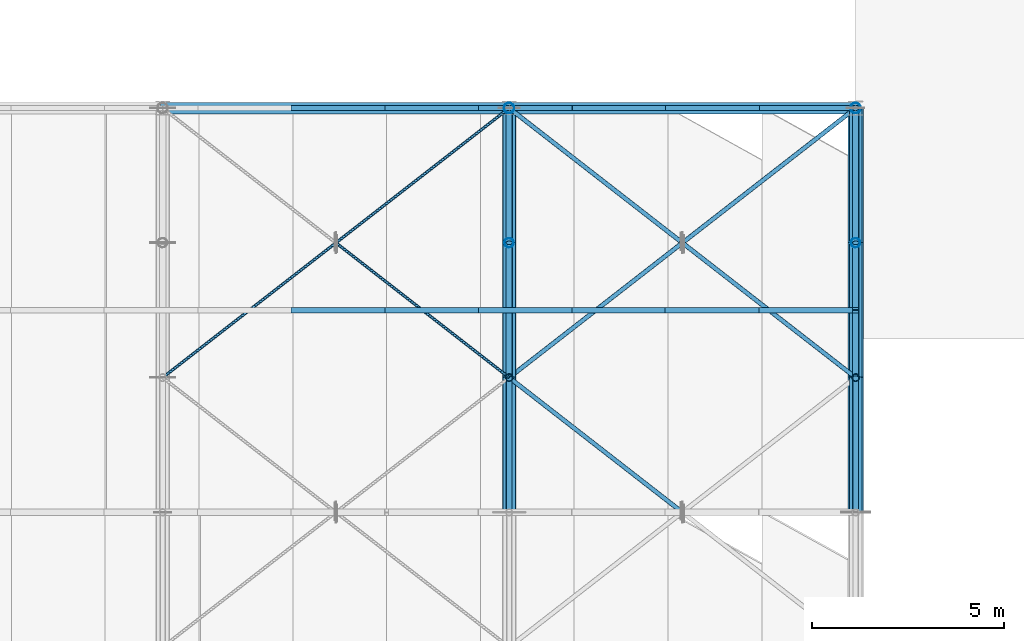
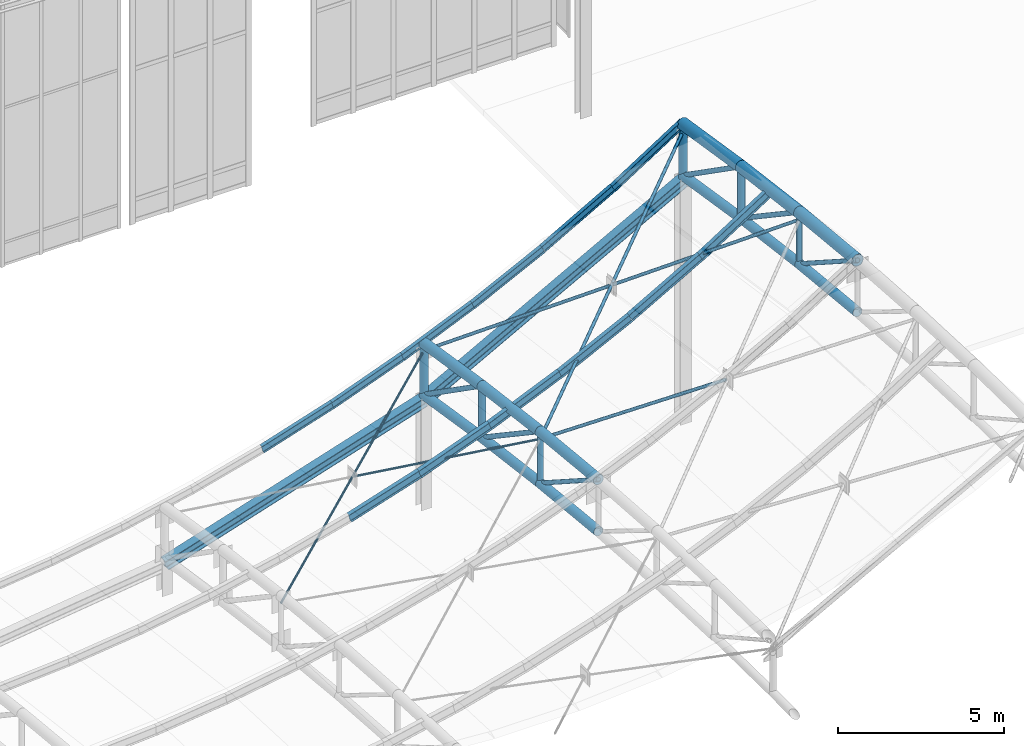
# One storey, part 55 of 262: 42 members, 2 beams.
"""IFC4 building model written with IfcOpenShell, lengths in metres."""

from ifc_helpers import new_model, si_unit, derived_unit, direction, frame, origin, origin_2d, place, context, subcontext, project, spatial, hollow_circle, i_section, extrude, material, material_profile, profile_set, type_object, element, save


model = new_model("IFC4")

# Units and contexts
model_context = context("Model", 3, precision=1e-05, world=origin(), true_north=direction((0.0, 1.0)))
body_context = subcontext(model_context, "Body", "Model", "MODEL_VIEW")
ifc_project = project(units=[si_unit("LENGTHUNIT", "METRE"), si_unit("AREAUNIT", "SQUARE_METRE"), si_unit("VOLUMEUNIT", "CUBIC_METRE"), si_unit("PLANEANGLEUNIT", "RADIAN"), si_unit("MASSUNIT", "GRAM", prefix="KILO"), derived_unit("THERMALTRANSMITTANCEUNIT", [(si_unit("POWERUNIT", "WATT"), 1), (si_unit("LENGTHUNIT", "METRE"), -2), (si_unit("THERMODYNAMICTEMPERATUREUNIT", "KELVIN"), -1)])], contexts=[model_context])

# Site, building, storey
site_placement = place(None, origin())
site = spatial("IfcSite", under=ifc_project, at=site_placement, CompositionType="ELEMENT")
building_placement = place(site_placement, origin())
building = spatial("IfcBuilding", under=site, at=building_placement, Name="Almenara Railside Exhibition Hall", CompositionType="ELEMENT")
storey_placement = place(building_placement, frame((0.0, 0.0, 21.699951171875)))
storey = spatial("IfcBuildingStorey", under=building, at=storey_placement, Name="RF", CompositionType="ELEMENT", Elevation=21.699951171875)

# Members
ifc_material = material(Name="Structural steel S355JR", Category="steel")
ifc_material_profile_1 = material_profile(ifc_material, i_section(OverallWidth=0.14990234375, OverallDepth=0.300048828125, WebThickness=0.007080078125, FlangeThickness=0.0107421875, FilletRadius=0.014892578125, at=origin_2d()), Name="IPE 300")
ifc_profile_set_1 = profile_set([ifc_material_profile_1], Name="Structural steel S355JR")
member_type_1 = type_object("IfcMemberType", Name="East Hall Ridge Purlin IPE 300 S355JR", PredefinedType="PURLIN", material=ifc_profile_set_1)
member_1_placement = place(storey_placement, frame((51.3798828125, 36.75, -5.260986328125), z_axis=(0.952440767254, 0.0, 0.304723784553), x_axis=(0.0, 1.0, 0.0)))
element("IfcMember", 1, at=member_1_placement, inside=storey, type_object=member_type_1, Name="MEM-PR-V4-PR-IPE300-07-22", PredefinedType="PURLIN", context=body_context, shape_type="SweptSolid", body=[
    extrude(i_section(OverallWidth=0.14990234375, OverallDepth=0.300048828125, WebThickness=0.007080078125, FlangeThickness=0.0107421875, FilletRadius=0.014892578125, at=origin_2d()), origin(), (0.0, 0.0, 1.0), 2.55810546875),
])
member_2_placement = place(storey_placement, frame((53.81640625, 36.75, -4.48779296875), z_axis=(0.936171044044, 0.0, 0.351544842508), x_axis=(0.0, 1.0, 0.0)))
element("IfcMember", 2, at=member_2_placement, inside=storey, type_object=member_type_1, Name="MEM-PR-V4-PR-IPE300-07-23", PredefinedType="PURLIN", context=body_context, shape_type="SweptSolid", body=[
    extrude(i_section(OverallWidth=0.14990234375, OverallDepth=0.300048828125, WebThickness=0.007080078125, FlangeThickness=0.0107421875, FilletRadius=0.014892578125, at=origin_2d()), origin(), (0.0, 0.0, 1.0), 2.60302734375),
])
member_3_placement = place(storey_placement, frame((56.253173828125, 36.75, -3.58056640625), z_axis=(0.917189812532, 0.0, 0.398450558775), x_axis=(0.0, 1.0, 0.0)))
element("IfcMember", 3, at=member_3_placement, inside=storey, type_object=member_type_1, Name="MEM-PR-V4-PR-IPE300-07-24", PredefinedType="PURLIN", context=body_context, shape_type="SweptSolid", body=[
    extrude(i_section(OverallWidth=0.14990234375, OverallDepth=0.300048828125, WebThickness=0.007080078125, FlangeThickness=0.0107421875, FilletRadius=0.014892578125, at=origin_2d()), origin(), (0.0, 0.0, 1.0), 2.65673828125),
])
member_4_placement = place(storey_placement, frame((58.68994140625, 36.75, -2.53125), z_axis=(0.895376074457, 0.0, 0.445310773831), x_axis=(0.0, 1.0, 0.0)))
element("IfcMember", 4, at=member_4_placement, inside=storey, type_object=member_type_1, Name="MEM-PR-V4-PR-IPE300-07-25", PredefinedType="PURLIN", context=body_context, shape_type="SweptSolid", body=[
    extrude(i_section(OverallWidth=0.14990234375, OverallDepth=0.300048828125, WebThickness=0.007080078125, FlangeThickness=0.0107421875, FilletRadius=0.014892578125, at=origin_2d()), origin(), (0.0, 0.0, 1.0), 2.721435546875),
])
member_5_placement = place(storey_placement, frame((61.126708984375, 36.75, -1.31298828125), z_axis=(0.870445855666, 0.0, 0.492264169277), x_axis=(0.0, 1.0, 0.0)))
element("IfcMember", 5, at=member_5_placement, inside=storey, type_object=member_type_1, Name="MEM-PR-V4-PR-IPE300-07-26", PredefinedType="PURLIN", context=body_context, shape_type="SweptSolid", body=[
    extrude(i_section(OverallWidth=0.14990234375, OverallDepth=0.300048828125, WebThickness=0.007080078125, FlangeThickness=0.0107421875, FilletRadius=0.014892578125, at=origin_2d()), origin(), (0.0, 0.0, 1.0), 2.799072265625),
])
member_6_placement = place(storey_placement, frame((63.563232421875, 36.75, 0.052001953125), z_axis=(0.842226955435, 0.0, 0.539123135785), x_axis=(0.0, 1.0, 0.0)))
element("IfcMember", 6, at=member_6_placement, inside=storey, type_object=member_type_1, Name="MEM-PR-V4-PR-IPE300-07-27", PredefinedType="PURLIN", context=body_context, shape_type="SweptSolid", body=[
    extrude(i_section(OverallWidth=0.14990234375, OverallDepth=0.300048828125, WebThickness=0.007080078125, FlangeThickness=0.0107421875, FilletRadius=0.014892578125, at=origin_2d()), origin(), (0.0, 0.0, 1.0), 2.893310546875),
])
ifc_material_profile_2 = material_profile(ifc_material, i_section(OverallWidth=0.135009765625, OverallDepth=0.27001953125, WebThickness=0.006591796875, FlangeThickness=0.01025390625, FilletRadius=0.014892578125, at=origin_2d()), Name="IPE 270")
ifc_profile_set_2 = profile_set([ifc_material_profile_2], Name="Structural steel S355JR")
member_type_2 = type_object("IfcMemberType", Name="East Hall Standard Purlin IPE 270 S355JR", PredefinedType="PURLIN", material=ifc_profile_set_2)
member_7_placement = place(storey_placement, frame((51.3798828125, 42.0, -5.9228515625), z_axis=(0.952468462339, 0.0, 0.304637207594), x_axis=(0.0, 1.0, 0.0)))
element("IfcMember", 7, at=member_7_placement, inside=storey, type_object=member_type_2, Name="MEM-PR-V4-PR-IPE270-08-22", PredefinedType="PURLIN", context=body_context, shape_type="SweptSolid", body=[
    extrude(i_section(OverallWidth=0.135009765625, OverallDepth=0.27001953125, WebThickness=0.006591796875, FlangeThickness=0.01025390625, FilletRadius=0.014892578125, at=origin_2d()), origin(), (0.0, 0.0, 1.0), 2.55810546875),
])
member_8_placement = place(storey_placement, frame((53.81640625, 42.0, -5.1494140625), z_axis=(0.936171044044, 0.0, 0.351544842508), x_axis=(0.0, 1.0, 0.0)))
element("IfcMember", 8, at=member_8_placement, inside=storey, type_object=member_type_2, Name="MEM-PR-V4-PR-IPE270-08-23", PredefinedType="PURLIN", context=body_context, shape_type="SweptSolid", body=[
    extrude(i_section(OverallWidth=0.135009765625, OverallDepth=0.27001953125, WebThickness=0.006591796875, FlangeThickness=0.01025390625, FilletRadius=0.014892578125, at=origin_2d()), origin(), (0.0, 0.0, 1.0), 2.60302734375),
])
member_9_placement = place(storey_placement, frame((56.253173828125, 42.0, -4.241943359375), z_axis=(0.917189812532, 0.0, 0.398450558775), x_axis=(0.0, 1.0, 0.0)))
element("IfcMember", 9, at=member_9_placement, inside=storey, type_object=member_type_2, Name="MEM-PR-V4-PR-IPE270-08-24", PredefinedType="PURLIN", context=body_context, shape_type="SweptSolid", body=[
    extrude(i_section(OverallWidth=0.135009765625, OverallDepth=0.27001953125, WebThickness=0.006591796875, FlangeThickness=0.01025390625, FilletRadius=0.014892578125, at=origin_2d()), origin(), (0.0, 0.0, 1.0), 2.65673828125),
])
member_10_placement = place(storey_placement, frame((58.68994140625, 42.0, -3.192138671875), z_axis=(0.895376074457, 0.0, 0.445310773831), x_axis=(0.0, 1.0, 0.0)))
element("IfcMember", 10, at=member_10_placement, inside=storey, type_object=member_type_2, Name="MEM-PR-V4-PR-IPE270-08-25", PredefinedType="PURLIN", context=body_context, shape_type="SweptSolid", body=[
    extrude(i_section(OverallWidth=0.135009765625, OverallDepth=0.27001953125, WebThickness=0.006591796875, FlangeThickness=0.01025390625, FilletRadius=0.014892578125, at=origin_2d()), origin(), (0.0, 0.0, 1.0), 2.721435546875),
])
member_11_placement = place(storey_placement, frame((61.126708984375, 42.0, -1.973388671875), z_axis=(0.870445855666, 0.0, 0.492264169277), x_axis=(0.0, 1.0, 0.0)))
element("IfcMember", 11, at=member_11_placement, inside=storey, type_object=member_type_2, Name="MEM-PR-V4-PR-IPE270-08-26", PredefinedType="PURLIN", context=body_context, shape_type="SweptSolid", body=[
    extrude(i_section(OverallWidth=0.135009765625, OverallDepth=0.27001953125, WebThickness=0.006591796875, FlangeThickness=0.01025390625, FilletRadius=0.014892578125, at=origin_2d()), origin(), (0.0, 0.0, 1.0), 2.799072265625),
])
member_12_placement = place(storey_placement, frame((63.563232421875, 42.0, -0.60791015625), z_axis=(0.842226955435, 0.0, 0.539123135785), x_axis=(0.0, 1.0, 0.0)))
element("IfcMember", 12, at=member_12_placement, inside=storey, type_object=member_type_2, Name="MEM-PR-V4-PR-IPE270-08-27", PredefinedType="PURLIN", context=body_context, shape_type="SweptSolid", body=[
    extrude(i_section(OverallWidth=0.135009765625, OverallDepth=0.27001953125, WebThickness=0.006591796875, FlangeThickness=0.01025390625, FilletRadius=0.014892578125, at=origin_2d()), origin(), (0.0, 0.0, 1.0), 2.893310546875),
])
ifc_material_profile_3 = material_profile(ifc_material, hollow_circle(Radius=0.0380859375, WallThickness=0.003662109375, at=origin_2d()), Name="CHS 76.1x3.6")
ifc_profile_set_3 = profile_set([ifc_material_profile_3], Name="Structural steel S355JR")
member_type_3 = type_object("IfcMemberType", Name="Lantern Cross-Tie Brace CHS 76.1x3.6 S355JR", PredefinedType="BRACE", material=ifc_profile_set_3)
member_13_placement = place(storey_placement, frame((48.0, 35.0, -6.150634765625), z_axis=(0.778927955541, 0.60583285431, 0.161980840581), x_axis=(-0.613940613515, 0.789352217376, 0.0)))
element("IfcMember", 13, at=member_13_placement, inside=storey, type_object=member_type_3, Name="MEM-WB-V4-WB-CHS76-05-10-C", PredefinedType="BRACE", context=body_context, shape_type="SweptSolid", body=[
    extrude(hollow_circle(Radius=0.0380859375, WallThickness=0.003662109375, at=origin_2d()), origin(), (0.0, 0.0, 1.0), 11.554443359375),
])
member_14_placement = place(storey_placement, frame((52.531494140625, 38.4755859375, -5.201171875), z_axis=(0.747436354234, -0.581352998901, 0.321508300108), x_axis=(0.613949570528, 0.789345250729, 0.0)))
element("IfcMember", 14, at=member_14_placement, inside=storey, type_object=member_type_3, Name="MEM-WB-V4-WB-CHS76-05-10-S2", PredefinedType="BRACE", context=body_context, shape_type="SweptSolid", body=[
    extrude(hollow_circle(Radius=0.0380859375, WallThickness=0.003662109375, at=origin_2d()), origin(), (0.0, 0.0, 1.0), 5.978515625),
])
ifc_material_profile_4 = material_profile(ifc_material, hollow_circle(Radius=0.203125, WallThickness=0.012451171875, at=origin_2d()), Name="CHS 406.4x12.5")
ifc_profile_set_4 = profile_set([ifc_material_profile_4], Name="Structural steel S355JR")
member_type_4 = type_object("IfcMemberType", Name="Plenary Gable Top Chord CHS 406.4x12.5 S355JR", PredefinedType="CHORD", material=ifc_profile_set_4)
member_15_placement = place(storey_placement, frame((66.0, 31.5, 2.25), z_axis=(0.0, 0.995041312637, -0.09946248612), x_axis=(-1.0, 0.0, 0.0)))
element("IfcMember", 15, at=member_15_placement, inside=storey, type_object=member_type_4, Name="MEM-TC-V4-07-09", PredefinedType="CHORD", context=body_context, shape_type="SweptSolid", body=[
    extrude(hollow_circle(Radius=0.203125, WallThickness=0.012451171875, at=origin_2d()), origin(), (0.0, 0.0, 1.0), 3.517333984375),
])
member_16_placement = place(storey_placement, frame((66.0, 35.0, 1.900146484375), z_axis=(0.0, 0.991828773415, -0.127576189884), x_axis=(-1.0, 0.0, 0.0)))
element("IfcMember", 16, at=member_16_placement, inside=storey, type_object=member_type_4, Name="MEM-TC-V4-07-10", PredefinedType="CHORD", context=body_context, shape_type="SweptSolid", body=[
    extrude(hollow_circle(Radius=0.203125, WallThickness=0.012451171875, at=origin_2d()), origin(), (0.0, 0.0, 1.0), 3.52880859375),
])
member_17_placement = place(storey_placement, frame((66.0, 38.5, 1.449951171875), z_axis=(0.0, 0.987885578074, -0.155184034725), x_axis=(-1.0, 0.0, 0.0)))
element("IfcMember", 17, at=member_17_placement, inside=storey, type_object=member_type_4, Name="MEM-TC-V4-07-11", PredefinedType="CHORD", context=body_context, shape_type="SweptSolid", body=[
    extrude(hollow_circle(Radius=0.203125, WallThickness=0.012451171875, at=origin_2d()), origin(), (0.0, 0.0, 1.0), 3.54296875),
])
ifc_material_profile_5 = material_profile(ifc_material, hollow_circle(Radius=0.161865234375, WallThickness=0.010009765625, at=origin_2d()), Name="CHS 323.9x10")
ifc_profile_set_5 = profile_set([ifc_material_profile_5], Name="Structural steel S355JR")
member_type_5 = type_object("IfcMemberType", Name="Plenary Truss Bottom Chord CHS 323.9x10 S355JR", PredefinedType="CHORD", material=ifc_profile_set_5)
member_18_placement = place(storey_placement, frame((57.0, 31.5, -4.549072265625), z_axis=(0.0, 0.995034440995, -0.099531207337), x_axis=(-1.0, 0.0, 0.0)))
element("IfcMember", 18, at=member_18_placement, inside=storey, type_object=member_type_5, Name="MEM-BC-V4-06-09", PredefinedType="CHORD", context=body_context, shape_type="SweptSolid", body=[
    extrude(hollow_circle(Radius=0.161865234375, WallThickness=0.010009765625, at=origin_2d()), origin(), (0.0, 0.0, 1.0), 3.517578125),
])
member_19_placement = place(storey_placement, frame((57.0, 35.0, -4.899169921875), z_axis=(0.0, 0.991837525329, -0.127508130523), x_axis=(-1.0, 0.0, 0.0)))
element("IfcMember", 19, at=member_19_placement, inside=storey, type_object=member_type_5, Name="MEM-BC-V4-06-10", PredefinedType="CHORD", context=body_context, shape_type="SweptSolid", body=[
    extrude(hollow_circle(Radius=0.161865234375, WallThickness=0.010009765625, at=origin_2d()), origin(), (0.0, 0.0, 1.0), 3.52880859375),
])
member_20_placement = place(storey_placement, frame((57.0, 38.5, -5.34912109375), z_axis=(0.0, 0.987875011802, -0.155251283593), x_axis=(-1.0, 0.0, 0.0)))
element("IfcMember", 20, at=member_20_placement, inside=storey, type_object=member_type_5, Name="MEM-BC-V4-06-11", PredefinedType="CHORD", context=body_context, shape_type="SweptSolid", body=[
    extrude(hollow_circle(Radius=0.161865234375, WallThickness=0.010009765625, at=origin_2d()), origin(), (0.0, 0.0, 1.0), 3.54296875),
])
member_21_placement = place(storey_placement, frame((66.0, 31.5, 0.35009765625), z_axis=(0.0, 0.995034440995, -0.099531207337), x_axis=(-1.0, 0.0, 0.0)))
element("IfcMember", 21, at=member_21_placement, inside=storey, type_object=member_type_5, Name="MEM-BC-V4-07-09", PredefinedType="CHORD", context=body_context, shape_type="SweptSolid", body=[
    extrude(hollow_circle(Radius=0.161865234375, WallThickness=0.010009765625, at=origin_2d()), origin(), (0.0, 0.0, 1.0), 3.517578125),
])
member_22_placement = place(storey_placement, frame((66.0, 35.0, 0.0), z_axis=(0.0, 0.991837525329, -0.127508130523), x_axis=(-1.0, 0.0, 0.0)))
element("IfcMember", 22, at=member_22_placement, inside=storey, type_object=member_type_5, Name="MEM-BC-V4-07-10", PredefinedType="CHORD", context=body_context, shape_type="SweptSolid", body=[
    extrude(hollow_circle(Radius=0.161865234375, WallThickness=0.010009765625, at=origin_2d()), origin(), (0.0, 0.0, 1.0), 3.52880859375),
])
member_23_placement = place(storey_placement, frame((66.0, 38.5, -0.449951171875), z_axis=(0.0, 0.987875011802, -0.155251283593), x_axis=(-1.0, 0.0, 0.0)))
element("IfcMember", 23, at=member_23_placement, inside=storey, type_object=member_type_5, Name="MEM-BC-V4-07-11", PredefinedType="CHORD", context=body_context, shape_type="SweptSolid", body=[
    extrude(hollow_circle(Radius=0.161865234375, WallThickness=0.010009765625, at=origin_2d()), origin(), (0.0, 0.0, 1.0), 3.54296875),
])
ifc_material_profile_6 = material_profile(ifc_material, hollow_circle(Radius=0.177734375, WallThickness=0.012451171875, at=origin_2d()), Name="CHS 355.6x12.5")
ifc_profile_set_6 = profile_set([ifc_material_profile_6], Name="Structural steel S355JR")
member_type_6 = type_object("IfcMemberType", Name="Plenary Truss Top Chord CHS 355.6x12.5 S355JR", PredefinedType="CHORD", material=ifc_profile_set_6)
member_24_placement = place(storey_placement, frame((57.0, 31.5, -2.649169921875), z_axis=(0.0, 0.995041312637, -0.09946248612), x_axis=(-1.0, 0.0, 0.0)))
element("IfcMember", 24, at=member_24_placement, inside=storey, type_object=member_type_6, Name="MEM-TC-V4-06-09", PredefinedType="CHORD", context=body_context, shape_type="SweptSolid", body=[
    extrude(hollow_circle(Radius=0.177734375, WallThickness=0.012451171875, at=origin_2d()), origin(), (0.0, 0.0, 1.0), 3.517333984375),
])
member_25_placement = place(storey_placement, frame((57.0, 35.0, -2.9990234375), z_axis=(0.0, 0.991837525329, -0.127508130523), x_axis=(-1.0, 0.0, 0.0)))
element("IfcMember", 25, at=member_25_placement, inside=storey, type_object=member_type_6, Name="MEM-TC-V4-06-10", PredefinedType="CHORD", context=body_context, shape_type="SweptSolid", body=[
    extrude(hollow_circle(Radius=0.177734375, WallThickness=0.012451171875, at=origin_2d()), origin(), (0.0, 0.0, 1.0), 3.52880859375),
])
member_26_placement = place(storey_placement, frame((57.0, 38.5, -3.448974609375), z_axis=(0.0, 0.987875011802, -0.155251283593), x_axis=(-1.0, 0.0, 0.0)))
element("IfcMember", 26, at=member_26_placement, inside=storey, type_object=member_type_6, Name="MEM-TC-V4-06-11", PredefinedType="CHORD", context=body_context, shape_type="SweptSolid", body=[
    extrude(hollow_circle(Radius=0.177734375, WallThickness=0.012451171875, at=origin_2d()), origin(), (0.0, 0.0, 1.0), 3.54296875),
])
ifc_material_profile_7 = material_profile(ifc_material, hollow_circle(Radius=0.05712890625, WallThickness=0.00439453125, at=origin_2d()), Name="CHS 114.3x4.5")
ifc_profile_set_7 = profile_set([ifc_material_profile_7], Name="Structural steel S355JR")
member_type_7 = type_object("IfcMemberType", Name="Roof Wind Plan X-Brace CHS 114.3x4.5 S355JR", PredefinedType="BRACE", material=ifc_profile_set_7)
member_27_placement = place(storey_placement, frame((57.0, 35.0, -3.279052734375), z_axis=(0.710977182771, -0.552999563985, 0.434399502544), x_axis=(0.613952588204, 0.789342903583, 0.0)))
element("IfcMember", 27, at=member_27_placement, inside=storey, type_object=member_type_7, Name="MEM-WB-V4-WB-CHS114-06-08-S1", PredefinedType="BRACE", context=body_context, shape_type="SweptSolid", body=[
    extrude(hollow_circle(Radius=0.05712890625, WallThickness=0.00439453125, at=origin_2d()), origin(), (0.0, 0.0, 1.0), 6.268310546875),
])
member_28_placement = place(storey_placement, frame((57.0, 35.0, -3.279052734375), z_axis=(0.746885327861, 0.580910810559, 0.323581422832), x_axis=(-0.613940613515, 0.789352217376, 0.0)))
element("IfcMember", 28, at=member_28_placement, inside=storey, type_object=member_type_7, Name="MEM-WB-V4-WB-CHS114-06-10-C", PredefinedType="BRACE", context=body_context, shape_type="SweptSolid", body=[
    extrude(hollow_circle(Radius=0.05712890625, WallThickness=0.00439453125, at=origin_2d()), origin(), (0.0, 0.0, 1.0), 12.050048828125),
])
member_29_placement = place(storey_placement, frame((57.0, 42.0, -4.279052734375), z_axis=(0.701062297744, -0.545304810909, 0.459515307559), x_axis=(0.613964559846, 0.789333591869, 0.0)))
element("IfcMember", 29, at=member_29_placement, inside=storey, type_object=member_type_7, Name="MEM-WB-V4-WB-CHS114-06-10-S1", PredefinedType="BRACE", context=body_context, shape_type="SweptSolid", body=[
    extrude(hollow_circle(Radius=0.05712890625, WallThickness=0.00439453125, at=origin_2d()), origin(), (0.0, 0.0, 1.0), 6.357421875),
])
member_30_placement = place(storey_placement, frame((61.54296875, 38.466796875, -1.301513671875), z_axis=(0.701049926475, -0.545295188209, 0.45954559981), x_axis=(0.613964559846, 0.789333591869, 0.0)))
element("IfcMember", 30, at=member_30_placement, inside=storey, type_object=member_type_7, Name="MEM-WB-V4-WB-CHS114-06-10-S2", PredefinedType="BRACE", context=body_context, shape_type="SweptSolid", body=[
    extrude(hollow_circle(Radius=0.05712890625, WallThickness=0.00439453125, at=origin_2d()), origin(), (0.0, 0.0, 1.0), 6.357666015625),
])

# Beams
ifc_material_profile_8 = material_profile(ifc_material, i_section(OverallWidth=0.300048828125, OverallDepth=0.360107421875, WebThickness=0.012451171875, FlangeThickness=0.0224609375, FilletRadius=0.027099609375, at=origin_2d()), Name="HEB 360")
ifc_profile_set_8 = profile_set([ifc_material_profile_8], Name="Structural steel S355JR")
beam_type = type_object("IfcBeamType", Name="Steel Portal Girder HEB 360 S355JR", PredefinedType="USERDEFINED", material=ifc_profile_set_8)
beam_1_placement = place(storey_placement, frame((48.0, 42.0, -8.950439453125), z_axis=(0.952689944457, 0.0, 0.303943859504), x_axis=(0.0, 1.0, 0.0)))
element("IfcBeam", 31, at=beam_1_placement, inside=storey, type_object=beam_type, Name="Beam 1000", ObjectType="GIRDER", PredefinedType="USERDEFINED", context=body_context, shape_type="SweptSolid", body=[
    extrude(i_section(OverallWidth=0.300048828125, OverallDepth=0.360107421875, WebThickness=0.012451171875, FlangeThickness=0.0224609375, FilletRadius=0.027099609375, at=origin_2d()), origin(), (0.0, 0.0, 1.0), 9.447021484375),
])
beam_2_placement = place(storey_placement, frame((57.0, 42.0, -6.0791015625), z_axis=(0.878302261666, 0.0, 0.478105780296), x_axis=(0.0, 1.0, 0.0)))
element("IfcBeam", 32, at=beam_2_placement, inside=storey, type_object=beam_type, Name="Beam 1002", ObjectType="GIRDER", PredefinedType="USERDEFINED", context=body_context, shape_type="SweptSolid", body=[
    extrude(i_section(OverallWidth=0.300048828125, OverallDepth=0.360107421875, WebThickness=0.012451171875, FlangeThickness=0.0224609375, FilletRadius=0.027099609375, at=origin_2d()), origin(), (0.0, 0.0, 1.0), 10.2470703125),
])

# Members
ifc_material_profile_9 = material_profile(ifc_material, hollow_circle(Radius=0.084228515625, WallThickness=0.006103515625, at=origin_2d()), Name="CHS 168.3x6")
ifc_profile_set_9 = profile_set([ifc_material_profile_9], Name="Structural steel S355JR")
member_type_8 = type_object("IfcMemberType", Name="Truss End Diagonal CHS 168.3x6 S355JR", PredefinedType="BRACE", material=ifc_profile_set_9)
member_31_placement = place(storey_placement, frame((57.0, 35.0, -2.9990234375), z_axis=(0.0, 0.830210410422, -0.557450154208), x_axis=(-1.0, 0.0, 0.0)))
element("IfcMember", 33, at=member_31_placement, inside=storey, type_object=member_type_8, Name="MEM-TD-V4-06-10", PredefinedType="BRACE", context=body_context, shape_type="SweptSolid", body=[
    extrude(hollow_circle(Radius=0.084228515625, WallThickness=0.006103515625, at=origin_2d()), origin(), (0.0, 0.0, 1.0), 4.2158203125),
])
member_32_placement = place(storey_placement, frame((57.0, 38.5, -3.448974609375), z_axis=(0.0, 0.819210443161, -0.573493025081), x_axis=(-1.0, 0.0, 0.0)))
element("IfcMember", 34, at=member_32_placement, inside=storey, type_object=member_type_8, Name="MEM-TD-V4-06-11", PredefinedType="BRACE", context=body_context, shape_type="SweptSolid", body=[
    extrude(hollow_circle(Radius=0.084228515625, WallThickness=0.006103515625, at=origin_2d()), origin(), (0.0, 0.0, 1.0), 4.2724609375),
])
member_33_placement = place(storey_placement, frame((66.0, 35.0, 1.900146484375), z_axis=(0.0, 0.830210410422, -0.557450154208), x_axis=(-1.0, 0.0, 0.0)))
element("IfcMember", 35, at=member_33_placement, inside=storey, type_object=member_type_8, Name="MEM-TD-V4-07-10", PredefinedType="BRACE", context=body_context, shape_type="SweptSolid", body=[
    extrude(hollow_circle(Radius=0.084228515625, WallThickness=0.006103515625, at=origin_2d()), origin(), (0.0, 0.0, 1.0), 4.2158203125),
])
member_34_placement = place(storey_placement, frame((66.0, 38.5, 1.449951171875), z_axis=(0.0, 0.819237289855, -0.573454673807), x_axis=(-1.0, 0.0, 0.0)))
element("IfcMember", 36, at=member_34_placement, inside=storey, type_object=member_type_8, Name="MEM-TD-V4-07-11", PredefinedType="BRACE", context=body_context, shape_type="SweptSolid", body=[
    extrude(hollow_circle(Radius=0.084228515625, WallThickness=0.006103515625, at=origin_2d()), origin(), (0.0, 0.0, 1.0), 4.272216796875),
])
ifc_material_profile_10 = material_profile(ifc_material, hollow_circle(Radius=0.122314453125, WallThickness=0.008056640625, at=origin_2d()), Name="CHS 244.5x8")
ifc_profile_set_10 = profile_set([ifc_material_profile_10], Name="Structural steel S355JR")
member_type_9 = type_object("IfcMemberType", Name="Truss Haunch Vertical Strut CHS 244.5x8 S355JR", PredefinedType="BRACE", material=ifc_profile_set_10)
member_35_placement = place(storey_placement, frame((57.0, 38.5, -5.34912109375), z_axis=(0.0, 0.0, 1.0), x_axis=(1.0, 0.0, 0.0)))
element("IfcMember", 37, at=member_35_placement, inside=storey, type_object=member_type_9, Name="MEM-TV-V4-06-11", PredefinedType="BRACE", context=body_context, shape_type="SweptSolid", body=[
    extrude(hollow_circle(Radius=0.122314453125, WallThickness=0.008056640625, at=origin_2d()), origin(), (0.0, 0.0, 1.0), 1.900146484375),
])
member_36_placement = place(storey_placement, frame((66.0, 38.5, -0.449951171875), z_axis=(0.0, 0.0, 1.0), x_axis=(1.0, 0.0, 0.0)))
element("IfcMember", 38, at=member_36_placement, inside=storey, type_object=member_type_9, Name="MEM-TV-V4-07-11", PredefinedType="BRACE", context=body_context, shape_type="SweptSolid", body=[
    extrude(hollow_circle(Radius=0.122314453125, WallThickness=0.008056640625, at=origin_2d()), origin(), (0.0, 0.0, 1.0), 1.89990234375),
])
ifc_material_profile_11 = material_profile(ifc_material, hollow_circle(Radius=0.076171875, WallThickness=0.0048828125, at=origin_2d()), Name="CHS 152.4x5")
ifc_profile_set_11 = profile_set([ifc_material_profile_11], Name="Structural steel S355JR")
member_type_10 = type_object("IfcMemberType", Name="Truss Mid Diagonal CHS 152.4x5 S355JR", PredefinedType="BRACE", material=ifc_profile_set_11)
for number, where, z_axis, x_axis, name in (
    (39, (57.0, 31.5, -2.649169921875), (0.0, 0.841178475377, -0.540757591313), (-1.0, 0.0, 0.0), "MEM-TD-V4-06-09"),
    (40, (66.0, 31.5, 2.25), (0.0, 0.841178475377, -0.540757591313), (-1.0, 0.0, 0.0), "MEM-TD-V4-07-09"),
):
    element("IfcMember", number, at=place(storey_placement, frame(where, z_axis=z_axis, x_axis=x_axis)), inside=storey, type_object=member_type_10, Name=name, PredefinedType="BRACE", context=body_context, shape_type="SweptSolid", body=[
        extrude(hollow_circle(Radius=0.076171875, WallThickness=0.0048828125, at=origin_2d()), origin(), (0.0, 0.0, 1.0), 4.160888671875),
    ])
ifc_material_profile_12 = material_profile(ifc_material, hollow_circle(Radius=0.096923828125, WallThickness=0.00634765625, at=origin_2d()), Name="CHS 193.7x6.3")
ifc_profile_set_12 = profile_set([ifc_material_profile_12], Name="Structural steel S355JR")
member_type_11 = type_object("IfcMemberType", Name="Truss Standard Vertical Strut CHS 193.7x6.3 S355JR", PredefinedType="BRACE", material=ifc_profile_set_12)
for number, where, z_axis, x_axis, name in (
    (41, (57.0, 35.0, -4.899169921875), (0.0, 0.0, 1.0), (1.0, 0.0, 0.0), "MEM-TV-V4-06-10"),
    (42, (66.0, 35.0, 0.0), (0.0, 0.0, 1.0), (1.0, 0.0, 0.0), "MEM-TV-V4-07-10"),
):
    element("IfcMember", number, at=place(storey_placement, frame(where, z_axis=z_axis, x_axis=x_axis)), inside=storey, type_object=member_type_11, Name=name, PredefinedType="BRACE", context=body_context, shape_type="SweptSolid", body=[
        extrude(hollow_circle(Radius=0.096923828125, WallThickness=0.00634765625, at=origin_2d()), origin(), (0.0, 0.0, 1.0), 1.900146484375),
    ])
ifc_material_profile_13 = material_profile(ifc_material, hollow_circle(Radius=0.136474609375, WallThickness=0.008056640625, at=origin_2d()), Name="CHS 273x8")
ifc_profile_set_13 = profile_set([ifc_material_profile_13], Name="Structural steel S355JR")
member_type_12 = type_object("IfcMemberType", Name="Truss Support Vertical Strut CHS 273x8 S355JR", PredefinedType="BRACE", material=ifc_profile_set_13)
for number, where, z_axis, x_axis, name in (
    (43, (57.0, 42.0, -5.899169921875), (0.0, 0.0, 1.0), (1.0, 0.0, 0.0), "MEM-TV-V4-06-12"),
    (44, (66.0, 42.0, -1.0), (0.0, 0.0, 1.0), (1.0, 0.0, 0.0), "MEM-TV-V4-07-12"),
):
    element("IfcMember", number, at=place(storey_placement, frame(where, z_axis=z_axis, x_axis=x_axis)), inside=storey, type_object=member_type_12, Name=name, PredefinedType="BRACE", context=body_context, shape_type="SweptSolid", body=[
        extrude(hollow_circle(Radius=0.136474609375, WallThickness=0.008056640625, at=origin_2d()), origin(), (0.0, 0.0, 1.0), 1.900146484375),
    ])

save(model, "model.ifc")
